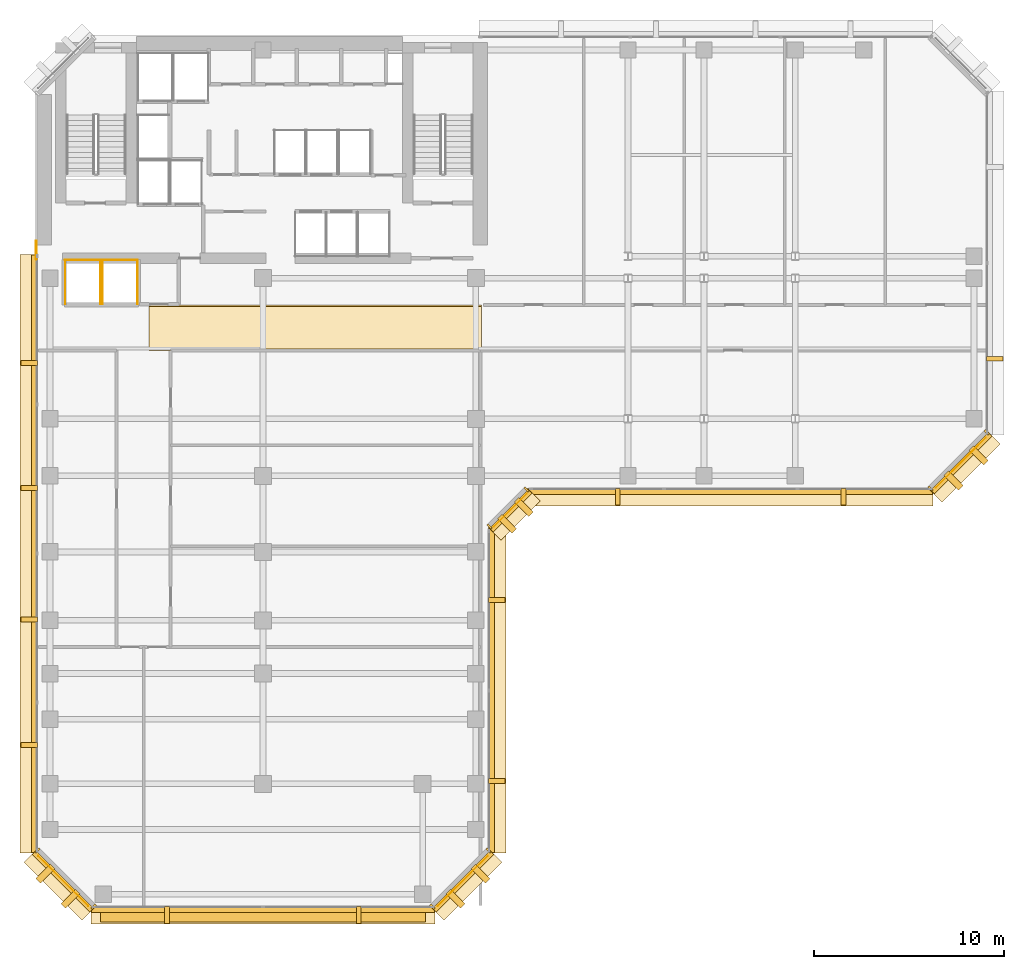
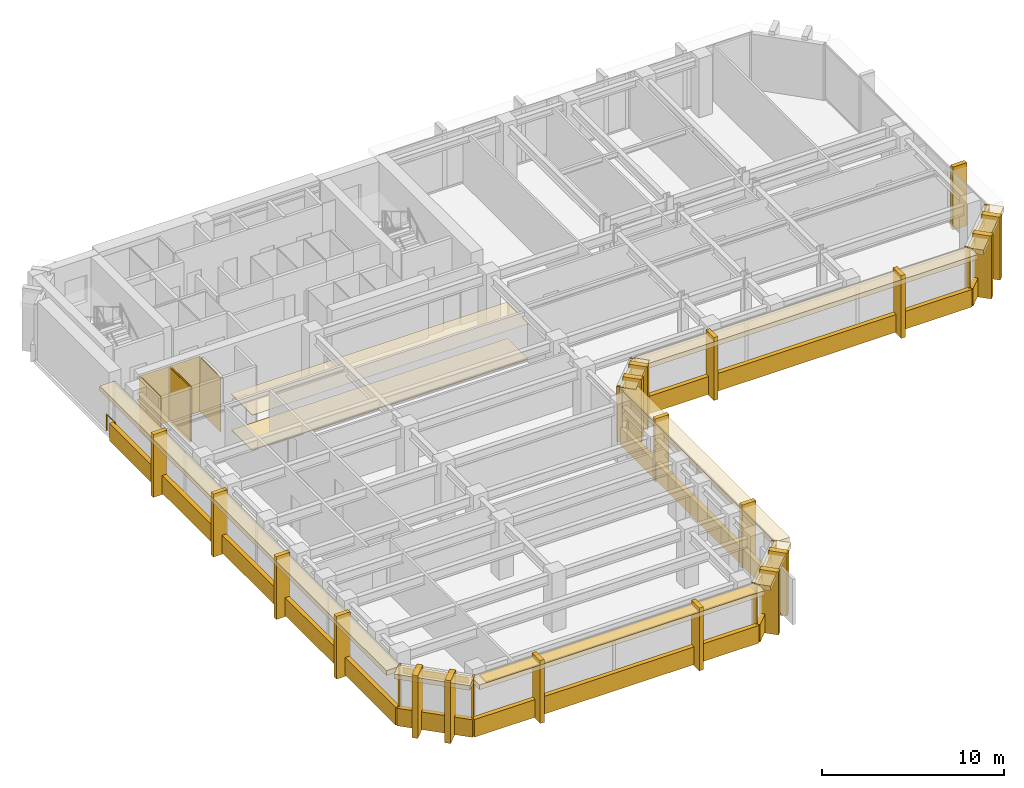
# One storey, part 9 of 11: 55 coverings, 1 railing, 1 shading device.
"""IFC4 building model written with IfcOpenShell, lengths in metres."""

from ifc_helpers import new_model, si_unit, direction, frame, origin, origin_2d, place, context, subcontext, project, spatial, polyline, rectangle, circle, outline, extrude, material, layer, layer_set, type_object, element, save


model = new_model("IFC4")

# Units and contexts
model_context = context("Model", 3, precision=1e-05, world=origin(), true_north=direction((0.0, 1.0)))
body_context = subcontext(model_context, "Body", "Model", "MODEL_VIEW")
ifc_project = project(units=[si_unit("LENGTHUNIT", "METRE"), si_unit("AREAUNIT", "SQUARE_METRE"), si_unit("VOLUMEUNIT", "CUBIC_METRE"), si_unit("PLANEANGLEUNIT", "RADIAN"), si_unit("MASSUNIT", "GRAM", prefix="KILO")], contexts=[model_context])

# Site, building, storey
site_placement = place(None, origin())
site = spatial("IfcSite", under=ifc_project, at=site_placement, CompositionType="ELEMENT")
building_placement = place(site_placement, origin())
building = spatial("IfcBuilding", under=site, at=building_placement, Name="Kefirva Bronze Tower", CompositionType="ELEMENT")
storey_placement = place(building_placement, frame((0.0, 0.0, 187.43994140625)))
storey = spatial("IfcBuildingStorey", under=building, at=storey_placement, Name="L45", CompositionType="ELEMENT", Elevation=187.43994140625)

# Coverings
ifc_material_1 = material(Name="Acoustic mineral tile")
ifc_layer_1 = layer(ifc_material_1, 0.02490234375, Name="Acoustic mineral tile")
ifc_layer_set_1 = layer_set([ifc_layer_1], Name="Acoustic mineral tile")
covering_type_1 = type_object("IfcCoveringType", Name="Acoustic Mineral Suspended Ceiling 25mm", PredefinedType="CEILING", material=ifc_layer_set_1)
covering_1_placement = place(storey_placement, frame((0.0, 0.0, 2.400146484375)))
element("IfcCovering", 1, at=covering_1_placement, inside=storey, type_object=covering_type_1, Name="L45 Corridor Acoustic Ceiling", PredefinedType="CEILING", context=body_context, shape_type="SweptSolid", body=[
    extrude(outline(polyline([(6.0, 29.39990234375), (23.5, 29.39990234375), (23.5, 31.800048828125), (6.0, 31.800048828125), (6.0, 29.39990234375)])), origin(), (0.0, 0.0, 1.0), 0.02490234375),
])
ifc_material_2 = material(Name="Bronze anodised aluminium", Category="aluminium")
ifc_layer_2 = layer(ifc_material_2, 0.02001953125, Name="Bronze anodised aluminium")
ifc_layer_set_2 = layer_set([ifc_layer_2], Name="Bronze anodised aluminium")
covering_type_2 = type_object("IfcCoveringType", Name="Anodised Bronze Spandrel Cladding 20mm", PredefinedType="CLADDING", material=ifc_layer_set_2)
covering_2_placement = place(storey_placement, frame((12.0, -0.0400390625, -0.15966796875), z_axis=(0.0, 0.0, 1.0), x_axis=(1.0, 0.0, 0.0)))
element("IfcCovering", 2, at=covering_2_placement, inside=storey, type_object=covering_type_2, Name="L45 Streamline Horizontal Spandrel Band 0", PredefinedType="CLADDING", context=body_context, shape_type="SweptSolid", body=[
    extrude(rectangle(XDim=18.0400390625, YDim=0.280029296875, at=origin_2d()), origin(), (0.0, 0.0, 1.0), 1.179931640625),
])
covering_3_placement = place(storey_placement, frame((22.507080078125, 1.492919921875, 3.2900390625), z_axis=(0.0, 0.0, 1.0), x_axis=(0.707106781187, 0.707106781187, 0.0)))
element("IfcCovering", 3, at=covering_3_placement, inside=storey, type_object=covering_type_2, Name="L45 Bronze Spandrel Cladding 1", PredefinedType="CLADDING", context=body_context, shape_type="SweptSolid", body=[
    extrude(rectangle(XDim=3.719482421875, YDim=0.02001953125, at=origin_2d()), origin(), (0.0, 0.0, 1.0), 0.39990234375),
])
for number, where, z_axis, x_axis, name in (
    (4, (20.91162109375, 0.137939453125, 0.0), (0.0, 0.0, 1.0), (0.707106781187, 0.707106781187, 0.0), "L45 Facade Joint Closure Panel 1S"),
    (5, (23.862060546875, 3.08837890625, 0.0), (0.0, 0.0, 1.0), (0.707106781187, 0.707106781187, 0.0), "L45 Facade Joint Closure Panel 1E"),
):
    element("IfcCovering", number, at=place(storey_placement, frame(where, z_axis=z_axis, x_axis=x_axis)), inside=storey, type_object=covering_type_2, Name=name, PredefinedType="CLADDING", context=body_context, shape_type="SweptSolid", body=[
        extrude(rectangle(XDim=0.10009765625, YDim=0.320068359375, at=origin_2d()), origin(), (0.0, 0.0, 1.0), 3.7099609375),
    ])
covering_4_placement = place(storey_placement, frame((22.5283203125, 1.4716796875, -0.15966796875), z_axis=(0.0, 0.0, 1.0), x_axis=(0.707106781187, 0.707106781187, 0.0)))
element("IfcCovering", 6, at=covering_4_placement, inside=storey, type_object=covering_type_2, Name="L45 Streamline Horizontal Spandrel Band 1", PredefinedType="CLADDING", context=body_context, shape_type="SweptSolid", body=[
    extrude(rectangle(XDim=4.28271484375, YDim=0.280029296875, at=origin_2d()), origin(), (0.0, 0.0, 1.0), 1.179931640625),
])
covering_5_placement = place(storey_placement, frame((24.0400390625, 11.5, -0.15966796875), z_axis=(0.0, 0.0, 1.0), x_axis=(0.0, 1.0, 0.0)))
element("IfcCovering", 7, at=covering_5_placement, inside=storey, type_object=covering_type_2, Name="L45 Streamline Horizontal Spandrel Band 2", PredefinedType="CLADDING", context=body_context, shape_type="SweptSolid", body=[
    extrude(rectangle(XDim=17.0400390625, YDim=0.280029296875, at=origin_2d()), origin(), (0.0, 0.0, 1.0), 1.179931640625),
])
covering_6_placement = place(storey_placement, frame((25.007080078125, 20.992919921875, 3.2900390625), z_axis=(0.0, 0.0, 1.0), x_axis=(0.707106781187, 0.707106781187, 0.0)))
element("IfcCovering", 8, at=covering_6_placement, inside=storey, type_object=covering_type_2, Name="L45 Bronze Spandrel Cladding 2", PredefinedType="CLADDING", context=body_context, shape_type="SweptSolid", body=[
    extrude(rectangle(XDim=2.446533203125, YDim=0.02001953125, at=origin_2d()), origin(), (0.0, 0.0, 1.0), 0.39990234375),
])
for number, where, z_axis, x_axis, name in (
    (9, (23.91162109375, 20.137939453125, 0.0), (0.0, 0.0, 1.0), (0.707106781187, 0.707106781187, 0.0), "L45 Facade Joint Closure Panel 2S"),
    (10, (25.862060546875, 22.08837890625, 0.0), (0.0, 0.0, 1.0), (0.707106781187, 0.707106781187, 0.0), "L45 Facade Joint Closure Panel 2E"),
):
    element("IfcCovering", number, at=place(storey_placement, frame(where, z_axis=z_axis, x_axis=x_axis)), inside=storey, type_object=covering_type_2, Name=name, PredefinedType="CLADDING", context=body_context, shape_type="SweptSolid", body=[
        extrude(rectangle(XDim=0.10009765625, YDim=0.320068359375, at=origin_2d()), origin(), (0.0, 0.0, 1.0), 3.7099609375),
    ])
covering_7_placement = place(storey_placement, frame((25.0283203125, 20.9716796875, -0.15966796875), z_axis=(0.0, 0.0, 1.0), x_axis=(0.707106781187, 0.707106781187, 0.0)))
element("IfcCovering", 11, at=covering_7_placement, inside=storey, type_object=covering_type_2, Name="L45 Streamline Horizontal Spandrel Band 3", PredefinedType="CLADDING", context=body_context, shape_type="SweptSolid", body=[
    extrude(rectangle(XDim=2.868408203125, YDim=0.280029296875, at=origin_2d()), origin(), (0.0, 0.0, 1.0), 1.179931640625),
])
covering_8_placement = place(storey_placement, frame((36.60009765625, 21.9599609375, -0.15966796875), z_axis=(0.0, 0.0, 1.0), x_axis=(1.0, 0.0, 0.0)))
element("IfcCovering", 12, at=covering_8_placement, inside=storey, type_object=covering_type_2, Name="L45 Streamline Horizontal Spandrel Band 4", PredefinedType="CLADDING", context=body_context, shape_type="SweptSolid", body=[
    extrude(rectangle(XDim=21.239990234375, YDim=0.280029296875, at=origin_2d()), origin(), (0.0, 0.0, 1.0), 1.179931640625),
])
covering_9_placement = place(storey_placement, frame((48.70703125, 23.492919921875, 3.2900390625), z_axis=(0.0, 0.0, 1.0), x_axis=(0.707106781187, 0.707106781187, 0.0)))
element("IfcCovering", 13, at=covering_9_placement, inside=storey, type_object=covering_type_2, Name="L45 Bronze Spandrel Cladding 3", PredefinedType="CLADDING", context=body_context, shape_type="SweptSolid", body=[
    extrude(rectangle(XDim=3.719482421875, YDim=0.02001953125, at=origin_2d()), origin(), (0.0, 0.0, 1.0), 0.39990234375),
])
for number, where, z_axis, x_axis, name in (
    (14, (47.11181640625, 22.137939453125, 0.0), (0.0, 0.0, 1.0), (0.707106781187, 0.707106781187, 0.0), "L45 Facade Joint Closure Panel 3S"),
    (15, (50.06201171875, 25.08837890625, 0.0), (0.0, 0.0, 1.0), (0.707106781187, 0.707106781187, 0.0), "L45 Facade Joint Closure Panel 3E"),
):
    element("IfcCovering", number, at=place(storey_placement, frame(where, z_axis=z_axis, x_axis=x_axis)), inside=storey, type_object=covering_type_2, Name=name, PredefinedType="CLADDING", context=body_context, shape_type="SweptSolid", body=[
        extrude(rectangle(XDim=0.10009765625, YDim=0.320068359375, at=origin_2d()), origin(), (0.0, 0.0, 1.0), 3.7099609375),
    ])
covering_10_placement = place(storey_placement, frame((48.728271484375, 23.4716796875, -0.15966796875), z_axis=(0.0, 0.0, 1.0), x_axis=(0.707106781187, 0.707106781187, 0.0)))
element("IfcCovering", 16, at=covering_10_placement, inside=storey, type_object=covering_type_2, Name="L45 Streamline Horizontal Spandrel Band 5", PredefinedType="CLADDING", context=body_context, shape_type="SweptSolid", body=[
    extrude(rectangle(XDim=4.28271484375, YDim=0.280029296875, at=origin_2d()), origin(), (0.0, 0.0, 1.0), 1.179931640625),
])
covering_11_placement = place(storey_placement, frame((-0.0400390625, 18.697509765625, -0.15966796875), z_axis=(0.0, 0.0, 1.0), x_axis=(0.0, -1.0, 0.0)))
element("IfcCovering", 17, at=covering_11_placement, inside=storey, type_object=covering_type_2, Name="L45 Streamline Horizontal Spandrel Band 10", PredefinedType="CLADDING", context=body_context, shape_type="SweptSolid", body=[
    extrude(rectangle(XDim=31.43505859375, YDim=0.280029296875, at=origin_2d()), origin(), (0.0, 0.0, 1.0), 1.179931640625),
])
covering_12_placement = place(storey_placement, frame((1.492919921875, 1.492919921875, 3.2900390625), z_axis=(0.0, 0.0, 1.0), x_axis=(0.707106781187, -0.707106781187, 0.0)))
element("IfcCovering", 18, at=covering_12_placement, inside=storey, type_object=covering_type_2, Name="L45 Bronze Spandrel Cladding 6", PredefinedType="CLADDING", context=body_context, shape_type="SweptSolid", body=[
    extrude(rectangle(XDim=3.719482421875, YDim=0.02001953125, at=origin_2d()), origin(), (0.0, 0.0, 1.0), 0.39990234375),
])
for number, where, z_axis, x_axis, name in (
    (19, (0.137939453125, 3.08837890625, 0.0), (0.0, 0.0, 1.0), (0.707106781187, -0.707106781187, 0.0), "L45 Facade Joint Closure Panel 6S"),
    (20, (3.08837890625, 0.137939453125, 0.0), (0.0, 0.0, 1.0), (0.707106781187, -0.707106781187, 0.0), "L45 Facade Joint Closure Panel 6E"),
):
    element("IfcCovering", number, at=place(storey_placement, frame(where, z_axis=z_axis, x_axis=x_axis)), inside=storey, type_object=covering_type_2, Name=name, PredefinedType="CLADDING", context=body_context, shape_type="SweptSolid", body=[
        extrude(rectangle(XDim=0.10009765625, YDim=0.320068359375, at=origin_2d()), origin(), (0.0, 0.0, 1.0), 3.7099609375),
    ])
covering_13_placement = place(storey_placement, frame((1.4716796875, 1.4716796875, -0.15966796875), z_axis=(0.0, 0.0, 1.0), x_axis=(0.707106781187, -0.707106781187, 0.0)))
element("IfcCovering", 21, at=covering_13_placement, inside=storey, type_object=covering_type_2, Name="L45 Streamline Horizontal Spandrel Band 11", PredefinedType="CLADDING", context=body_context, shape_type="SweptSolid", body=[
    extrude(rectangle(XDim=4.28271484375, YDim=0.280029296875, at=origin_2d()), origin(), (0.0, 0.0, 1.0), 1.179931640625),
])
covering_14_placement = place(storey_placement, origin())
element("IfcCovering", 22, at=covering_14_placement, inside=storey, type_object=covering_type_2, Name="L45 Lift OB1 Hoistway Liner N", PredefinedType="CLADDING", context=body_context, shape_type="SweptSolid", body=[
    extrude(outline(polyline([(1.580078125, 34.139892578125), (3.469970703125, 34.139892578125), (3.469970703125, 34.159912109375), (1.580078125, 34.159912109375), (1.580078125, 34.139892578125)])), origin(), (0.0, 0.0, 1.0), 3.7099609375),
])
covering_15_placement = place(storey_placement, origin())
element("IfcCovering", 23, at=covering_15_placement, inside=storey, type_object=covering_type_2, Name="L45 Lift OB1 Hoistway Liner W", PredefinedType="CLADDING", context=body_context, shape_type="SweptSolid", body=[
    extrude(outline(polyline([(1.590087890625, 31.830078125), (1.610107421875, 31.830078125), (1.610107421875, 34.169921875), (1.590087890625, 34.169921875), (1.590087890625, 31.830078125)])), origin(), (0.0, 0.0, 1.0), 3.7099609375),
])
covering_16_placement = place(storey_placement, origin())
element("IfcCovering", 24, at=covering_16_placement, inside=storey, type_object=covering_type_2, Name="L45 Lift OB1 Hoistway Liner E", PredefinedType="CLADDING", context=body_context, shape_type="SweptSolid", body=[
    extrude(outline(polyline([(3.43994140625, 31.830078125), (3.4599609375, 31.830078125), (3.4599609375, 34.169921875), (3.43994140625, 34.169921875), (3.43994140625, 31.830078125)])), origin(), (0.0, 0.0, 1.0), 3.7099609375),
])
covering_17_placement = place(storey_placement, origin())
element("IfcCovering", 25, at=covering_17_placement, inside=storey, type_object=covering_type_2, Name="L45 Lift OB2 Hoistway Liner N", PredefinedType="CLADDING", context=body_context, shape_type="SweptSolid", body=[
    extrude(outline(polyline([(3.530029296875, 34.139892578125), (5.419921875, 34.139892578125), (5.419921875, 34.159912109375), (3.530029296875, 34.159912109375), (3.530029296875, 34.139892578125)])), origin(), (0.0, 0.0, 1.0), 3.7099609375),
])
covering_18_placement = place(storey_placement, origin())
element("IfcCovering", 26, at=covering_18_placement, inside=storey, type_object=covering_type_2, Name="L45 Lift OB2 Hoistway Liner W", PredefinedType="CLADDING", context=body_context, shape_type="SweptSolid", body=[
    extrude(outline(polyline([(3.5400390625, 31.830078125), (3.56005859375, 31.830078125), (3.56005859375, 34.169921875), (3.5400390625, 34.169921875), (3.5400390625, 31.830078125)])), origin(), (0.0, 0.0, 1.0), 3.7099609375),
])
covering_19_placement = place(storey_placement, origin())
element("IfcCovering", 27, at=covering_19_placement, inside=storey, type_object=covering_type_2, Name="L45 Lift OB2 Hoistway Liner E", PredefinedType="CLADDING", context=body_context, shape_type="SweptSolid", body=[
    extrude(outline(polyline([(5.389892578125, 31.830078125), (5.409912109375, 31.830078125), (5.409912109375, 34.169921875), (5.389892578125, 34.169921875), (5.389892578125, 31.830078125)])), origin(), (0.0, 0.0, 1.0), 3.7099609375),
])

# Shading device
ifc_layer_3 = layer(ifc_material_2, 0.090087890625, Name="Bronze anodised aluminium")
ifc_layer_set_3 = layer_set([ifc_layer_3], Name="Bronze anodised aluminium")
shading_device_type = type_object("IfcShadingDeviceType", Name="Horizontal Bronze Sunshade Band 750mm", PredefinedType="JALOUSIE", material=ifc_layer_set_3)
shading_device_placement = place(storey_placement, frame((12.0, -0.294921875, 3.60498046875), z_axis=(0.0, 0.0, 1.0), x_axis=(1.0, 0.0, 0.0)))
element("IfcShadingDevice", 28, at=shading_device_placement, inside=storey, type_object=shading_device_type, Name="L45 Horizontal Bronze Sunshade Band 0", PredefinedType="JALOUSIE", context=body_context, shape_type="SweptSolid", body=[
    extrude(rectangle(XDim=17.090087890625, YDim=0.75, at=origin_2d()), origin(), (0.0, 0.0, 1.0), 0.090087890625),
])

# Railing
ifc_material_3 = material(Name="Stainless steel 316", Category="steel")
railing_type = type_object("IfcRailingType", Name="Interior Stair Guardrail 1100mm", PredefinedType="GUARDRAIL", material=ifc_material_3)
railing_placement = place(storey_placement, frame((0.080078125, 34.199951171875, 0.0)))
element("IfcRailing", 29, at=railing_placement, inside=storey, type_object=railing_type, Name="L45 West Core Junction Guardrail", PredefinedType="GUARDRAIL", context=body_context, shape_type="SweptSolid", body=[
    extrude(circle(Radius=0.02392578125, at=origin_2d()), frame((0.0, 0.0, 1.076171875), z_axis=(0.0, 1.0, 0.0), x_axis=(-1.0, 0.0, 0.0)), (0.0, 0.0, 1.0), 0.949951171875),
    extrude(circle(Radius=0.02099609375, at=origin_2d()), origin(), (0.0, 0.0, 1.0), 1.052001953125),
    extrude(circle(Radius=0.02099609375, at=origin_2d()), frame((0.0, 0.949951171875, 0.0)), (0.0, 0.0, 1.0), 1.052001953125),
])

# Coverings
ifc_material_4 = material(Name="Calcium sulphate access tile")
ifc_layer_4 = layer(ifc_material_4, 0.044921875, Name="Calcium sulphate access tile")
ifc_layer_set_4 = layer_set([ifc_layer_4], Name="Calcium sulphate access tile")
covering_type_3 = type_object("IfcCoveringType", Name="Raised Access Office Flooring 45mm", PredefinedType="FLOORING", material=ifc_layer_set_4)
covering_20_placement = place(storey_placement, origin())
element("IfcCovering", 30, at=covering_20_placement, inside=storey, type_object=covering_type_3, Name="L45 Architectural Finish Flooring", PredefinedType="FLOORING", context=body_context, shape_type="SweptSolid", body=[
    extrude(outline(polyline([(6.0, 29.47998046875), (23.5, 29.47998046875), (23.5, 31.719970703125), (6.0, 31.719970703125), (6.0, 29.47998046875)])), origin(), (0.0, 0.0, 1.0), 0.045166015625),
])
ifc_layer_5 = layer(ifc_material_2, 0.179931640625, Name="Bronze anodised aluminium")
ifc_layer_set_5 = layer_set([ifc_layer_5], Name="Bronze anodised aluminium")
covering_type_4 = type_object("IfcCoveringType", Name="Streamline Bronze Sunshade Eyebrow Cladding 180mm", PredefinedType="CLADDING", material=ifc_layer_set_5)
covering_21_placement = place(storey_placement, frame((12.0, -0.31005859375, 3.39013671875), z_axis=(0.0, 0.0, 1.0), x_axis=(1.0, 0.0, 0.0)))
element("IfcCovering", 31, at=covering_21_placement, inside=storey, type_object=covering_type_4, Name="L45 Streamline Bronze Sunshade Eyebrow 0", PredefinedType="CLADDING", context=body_context, shape_type="SweptSolid", body=[
    extrude(rectangle(XDim=18.080078125, YDim=0.93994140625, at=origin_2d()), origin(), (0.0, 0.0, 1.0), 0.320068359375),
])
covering_22_placement = place(storey_placement, frame((22.71923828125, 1.28076171875, 3.39013671875), z_axis=(0.0, 0.0, 1.0), x_axis=(0.707106781187, 0.707106781187, 0.0)))
element("IfcCovering", 32, at=covering_22_placement, inside=storey, type_object=covering_type_4, Name="L45 Streamline Bronze Sunshade Eyebrow 1", PredefinedType="CLADDING", context=body_context, shape_type="SweptSolid", body=[
    extrude(rectangle(XDim=4.322509765625, YDim=0.93994140625, at=origin_2d()), origin(), (0.0, 0.0, 1.0), 0.320068359375),
])
covering_23_placement = place(storey_placement, frame((24.31005859375, 11.5, 3.39013671875), z_axis=(0.0, 0.0, 1.0), x_axis=(0.0, 1.0, 0.0)))
element("IfcCovering", 33, at=covering_23_placement, inside=storey, type_object=covering_type_4, Name="L45 Streamline Bronze Sunshade Eyebrow 2", PredefinedType="CLADDING", context=body_context, shape_type="SweptSolid", body=[
    extrude(rectangle(XDim=17.080078125, YDim=0.93994140625, at=origin_2d()), origin(), (0.0, 0.0, 1.0), 0.320068359375),
])
covering_24_placement = place(storey_placement, frame((25.21923828125, 20.78076171875, 3.39013671875), z_axis=(0.0, 0.0, 1.0), x_axis=(0.707106781187, 0.707106781187, 0.0)))
element("IfcCovering", 34, at=covering_24_placement, inside=storey, type_object=covering_type_4, Name="L45 Streamline Bronze Sunshade Eyebrow 3", PredefinedType="CLADDING", context=body_context, shape_type="SweptSolid", body=[
    extrude(rectangle(XDim=2.908447265625, YDim=0.93994140625, at=origin_2d()), origin(), (0.0, 0.0, 1.0), 0.320068359375),
])
covering_25_placement = place(storey_placement, frame((36.60009765625, 21.68994140625, 3.39013671875), z_axis=(0.0, 0.0, 1.0), x_axis=(1.0, 0.0, 0.0)))
element("IfcCovering", 35, at=covering_25_placement, inside=storey, type_object=covering_type_4, Name="L45 Streamline Bronze Sunshade Eyebrow 4", PredefinedType="CLADDING", context=body_context, shape_type="SweptSolid", body=[
    extrude(rectangle(XDim=21.280029296875, YDim=0.93994140625, at=origin_2d()), origin(), (0.0, 0.0, 1.0), 0.320068359375),
])
covering_26_placement = place(storey_placement, frame((48.919189453125, 23.28076171875, 3.39013671875), z_axis=(0.0, 0.0, 1.0), x_axis=(0.707106781187, 0.707106781187, 0.0)))
element("IfcCovering", 36, at=covering_26_placement, inside=storey, type_object=covering_type_4, Name="L45 Streamline Bronze Sunshade Eyebrow 5", PredefinedType="CLADDING", context=body_context, shape_type="SweptSolid", body=[
    extrude(rectangle(XDim=4.322509765625, YDim=0.93994140625, at=origin_2d()), origin(), (0.0, 0.0, 1.0), 0.320068359375),
])
covering_27_placement = place(storey_placement, frame((-0.31005859375, 18.697509765625, 3.39013671875), z_axis=(0.0, 0.0, 1.0), x_axis=(0.0, -1.0, 0.0)))
element("IfcCovering", 37, at=covering_27_placement, inside=storey, type_object=covering_type_4, Name="L45 Streamline Bronze Sunshade Eyebrow 10", PredefinedType="CLADDING", context=body_context, shape_type="SweptSolid", body=[
    extrude(rectangle(XDim=31.47509765625, YDim=0.93994140625, at=origin_2d()), origin(), (0.0, 0.0, 1.0), 0.320068359375),
])
covering_28_placement = place(storey_placement, frame((1.28076171875, 1.28076171875, 3.39013671875), z_axis=(0.0, 0.0, 1.0), x_axis=(0.707106781187, -0.707106781187, 0.0)))
element("IfcCovering", 38, at=covering_28_placement, inside=storey, type_object=covering_type_4, Name="L45 Streamline Bronze Sunshade Eyebrow 11", PredefinedType="CLADDING", context=body_context, shape_type="SweptSolid", body=[
    extrude(rectangle(XDim=4.322509765625, YDim=0.93994140625, at=origin_2d()), origin(), (0.0, 0.0, 1.0), 0.320068359375),
])
ifc_layer_6 = layer(ifc_material_2, 0.260009765625, Name="Bronze anodised aluminium")
ifc_layer_set_6 = layer_set([ifc_layer_6], Name="Bronze anodised aluminium")
covering_type_5 = type_object("IfcCoveringType", Name="Unbroken Bronze Buttress Fin Cladding 260mm", PredefinedType="CLADDING", material=ifc_layer_set_6)
for number, where, z_axis, x_axis, name in (
    (39, (6.9599609375, -0.300048828125, -0.25), (0.0, 0.0, 1.0), (1.0, 0.0, 0.0), "L45 Unbroken Vertical Bronze Rib Fin 1"),
    (40, (17.0400390625, -0.300048828125, -0.25), (0.0, 0.0, 1.0), (1.0, 0.0, 0.0), "L45 Unbroken Vertical Bronze Rib Fin 2"),
):
    element("IfcCovering", number, at=place(storey_placement, frame(where, z_axis=z_axis, x_axis=x_axis)), inside=storey, type_object=covering_type_5, Name=name, PredefinedType="CLADDING", context=body_context, shape_type="SweptSolid", body=[
        extrude(rectangle(XDim=0.260009765625, YDim=0.8798828125, at=origin_2d()), origin(), (0.0, 0.0, 1.0), 4.2099609375),
    ])
for number, where, z_axis, x_axis, name in (
    (41, (22.122802734375, 0.55712890625, -0.25), (0.0, 0.0, 1.0), (0.707106781187, 0.707106781187, 0.0), "L45 Chamfered Corner Buttress Fin Cladding 3"),
    (42, (23.44287109375, 1.877197265625, -0.25), (0.0, 0.0, 1.0), (0.707106781187, 0.707106781187, 0.0), "L45 Chamfered Corner Buttress Fin Cladding 4"),
):
    element("IfcCovering", number, at=place(storey_placement, frame(where, z_axis=z_axis, x_axis=x_axis)), inside=storey, type_object=covering_type_5, Name=name, PredefinedType="CLADDING", context=body_context, shape_type="SweptSolid", body=[
        extrude(rectangle(XDim=0.340087890625, YDim=1.080078125, at=origin_2d()), origin(), (0.0, 0.0, 1.0), 4.2099609375),
    ])
for number, where, z_axis, x_axis, name in (
    (43, (24.300048828125, 6.739990234375, -0.25), (0.0, 0.0, 1.0), (0.0, 1.0, 0.0), "L45 Unbroken Vertical Bronze Rib Fin 5"),
    (44, (24.300048828125, 16.260009765625, -0.25), (0.0, 0.0, 1.0), (0.0, 1.0, 0.0), "L45 Unbroken Vertical Bronze Rib Fin 6"),
):
    element("IfcCovering", number, at=place(storey_placement, frame(where, z_axis=z_axis, x_axis=x_axis)), inside=storey, type_object=covering_type_5, Name=name, PredefinedType="CLADDING", context=body_context, shape_type="SweptSolid", body=[
        extrude(rectangle(XDim=0.260009765625, YDim=0.8798828125, at=origin_2d()), origin(), (0.0, 0.0, 1.0), 4.2099609375),
    ])
for number, where, z_axis, x_axis, name in (
    (45, (24.8427734375, 20.277099609375, -0.25), (0.0, 0.0, 1.0), (0.707106781187, 0.707106781187, 0.0), "L45 Chamfered Corner Buttress Fin Cladding 7"),
    (46, (25.722900390625, 21.1572265625, -0.25), (0.0, 0.0, 1.0), (0.707106781187, 0.707106781187, 0.0), "L45 Chamfered Corner Buttress Fin Cladding 8"),
):
    element("IfcCovering", number, at=place(storey_placement, frame(where, z_axis=z_axis, x_axis=x_axis)), inside=storey, type_object=covering_type_5, Name=name, PredefinedType="CLADDING", context=body_context, shape_type="SweptSolid", body=[
        extrude(rectangle(XDim=0.340087890625, YDim=1.080078125, at=origin_2d()), origin(), (0.0, 0.0, 1.0), 4.2099609375),
    ])
for number, where, z_axis, x_axis, name in (
    (47, (30.6640625, 21.699951171875, -0.25), (0.0, 0.0, 1.0), (1.0, 0.0, 0.0), "L45 Unbroken Vertical Bronze Rib Fin 9"),
    (48, (42.535888671875, 21.699951171875, -0.25), (0.0, 0.0, 1.0), (1.0, 0.0, 0.0), "L45 Unbroken Vertical Bronze Rib Fin 10"),
):
    element("IfcCovering", number, at=place(storey_placement, frame(where, z_axis=z_axis, x_axis=x_axis)), inside=storey, type_object=covering_type_5, Name=name, PredefinedType="CLADDING", context=body_context, shape_type="SweptSolid", body=[
        extrude(rectangle(XDim=0.260009765625, YDim=0.8798828125, at=origin_2d()), origin(), (0.0, 0.0, 1.0), 4.2099609375),
    ])
for number, where, z_axis, x_axis, name in (
    (49, (48.32275390625, 22.55712890625, -0.25), (0.0, 0.0, 1.0), (0.707106781187, 0.707106781187, 0.0), "L45 Chamfered Corner Buttress Fin Cladding 11"),
    (50, (49.642822265625, 23.877197265625, -0.25), (0.0, 0.0, 1.0), (0.707106781187, 0.707106781187, 0.0), "L45 Chamfered Corner Buttress Fin Cladding 12"),
):
    element("IfcCovering", number, at=place(storey_placement, frame(where, z_axis=z_axis, x_axis=x_axis)), inside=storey, type_object=covering_type_5, Name=name, PredefinedType="CLADDING", context=body_context, shape_type="SweptSolid", body=[
        extrude(rectangle(XDim=0.340087890625, YDim=1.080078125, at=origin_2d()), origin(), (0.0, 0.0, 1.0), 4.2099609375),
    ])
for number, where, z_axis, x_axis, name in (
    (51, (50.5, 28.9599609375, -0.25), (0.0, 0.0, 1.0), (0.0, 1.0, 0.0), "L45 Unbroken Vertical Bronze Rib Fin 13"),
    (52, (-0.300048828125, 28.743896484375, -0.25), (0.0, 0.0, 1.0), (0.0, -1.0, 0.0), "L45 Unbroken Vertical Bronze Rib Fin 23"),
    (53, (-0.300048828125, 22.15087890625, -0.25), (0.0, 0.0, 1.0), (0.0, -1.0, 0.0), "L45 Unbroken Vertical Bronze Rib Fin 24"),
    (54, (-0.300048828125, 15.244140625, -0.25), (0.0, 0.0, 1.0), (0.0, -1.0, 0.0), "L45 Unbroken Vertical Bronze Rib Fin 25"),
    (55, (-0.300048828125, 8.651123046875, -0.25), (0.0, 0.0, 1.0), (0.0, -1.0, 0.0), "L45 Unbroken Vertical Bronze Rib Fin 26"),
):
    element("IfcCovering", number, at=place(storey_placement, frame(where, z_axis=z_axis, x_axis=x_axis)), inside=storey, type_object=covering_type_5, Name=name, PredefinedType="CLADDING", context=body_context, shape_type="SweptSolid", body=[
        extrude(rectangle(XDim=0.260009765625, YDim=0.8798828125, at=origin_2d()), origin(), (0.0, 0.0, 1.0), 4.2099609375),
    ])
for number, where, z_axis, x_axis, name in (
    (56, (0.55712890625, 1.877197265625, -0.25), (0.0, 0.0, 1.0), (0.707106781187, -0.707106781187, 0.0), "L45 Chamfered Corner Buttress Fin Cladding 27"),
    (57, (1.877197265625, 0.55712890625, -0.25), (0.0, 0.0, 1.0), (0.707106781187, -0.707106781187, 0.0), "L45 Chamfered Corner Buttress Fin Cladding 28"),
):
    element("IfcCovering", number, at=place(storey_placement, frame(where, z_axis=z_axis, x_axis=x_axis)), inside=storey, type_object=covering_type_5, Name=name, PredefinedType="CLADDING", context=body_context, shape_type="SweptSolid", body=[
        extrude(rectangle(XDim=0.340087890625, YDim=1.080078125, at=origin_2d()), origin(), (0.0, 0.0, 1.0), 4.2099609375),
    ])

save(model, "model.ifc")
